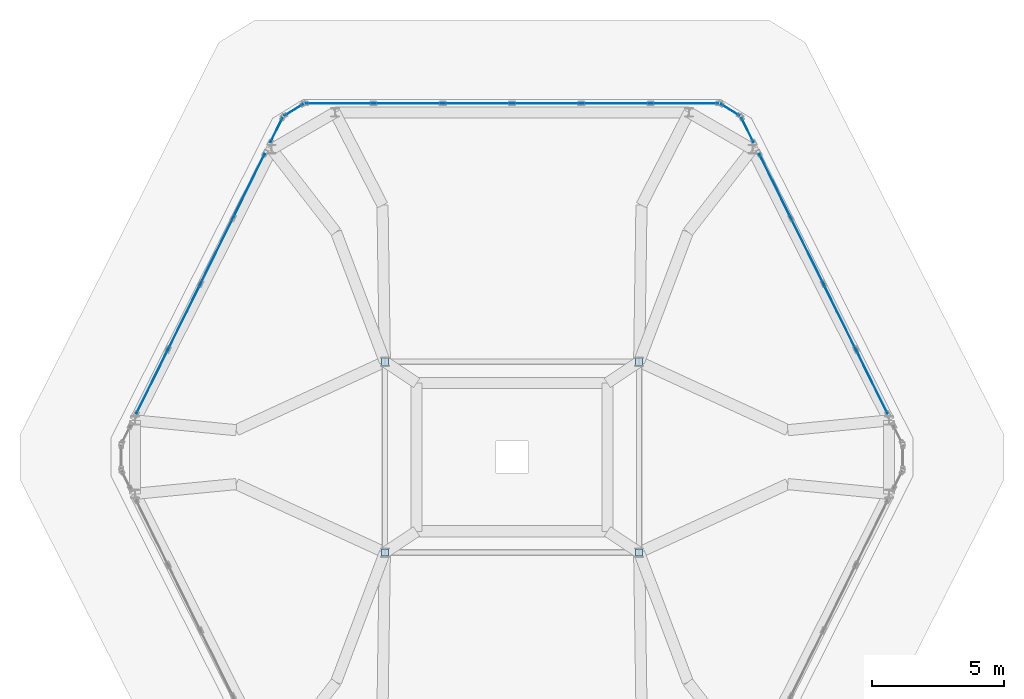
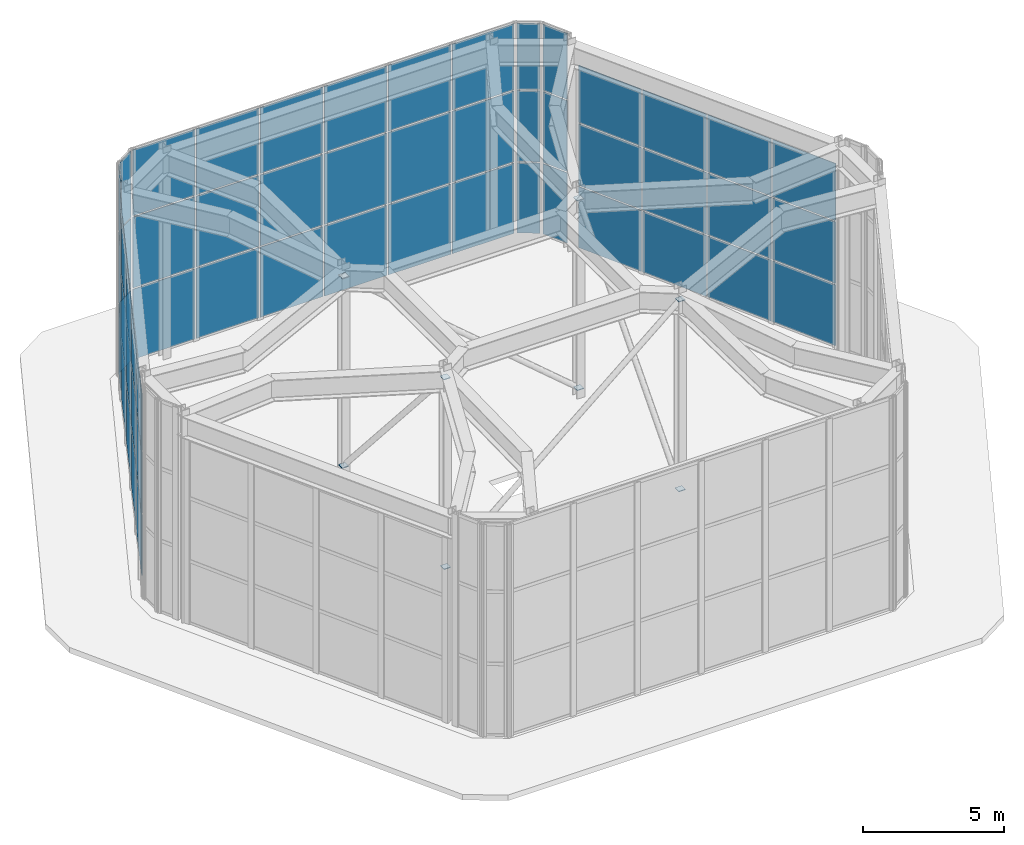
# One storey, part 10 of 10: 62 plates, 7 elements without a shape of their own.
"""IFC4 building model written with IfcOpenShell, lengths in metres."""

from ifc_helpers import new_model, si_unit, direction, frame, origin, origin_2d, place, context, subcontext, project, spatial, rectangle, extrude, material, layer, layer_set, type_object, element, aggregate, save


model = new_model("IFC4")

# Units and contexts
model_context = context("Model", 3, precision=1e-05, world=origin(), true_north=direction((0.0, 1.0)))
body_context = subcontext(model_context, "Body", "Model", "MODEL_VIEW")
ifc_project = project(units=[si_unit("LENGTHUNIT", "METRE"), si_unit("AREAUNIT", "SQUARE_METRE"), si_unit("VOLUMEUNIT", "CUBIC_METRE"), si_unit("PLANEANGLEUNIT", "RADIAN"), si_unit("MASSUNIT", "GRAM", prefix="KILO")], contexts=[model_context])

# Site, building, storey
site_placement = place(None, origin())
site = spatial("IfcSite", under=ifc_project, at=site_placement, CompositionType="ELEMENT")
building_placement = place(site_placement, origin())
building = spatial("IfcBuilding", under=site, at=building_placement, Name="Cinnabar Lancet Tower", CompositionType="ELEMENT")
storey_placement = place(building_placement, frame((0.0, 0.0, 314.675048828125)))
storey = spatial("IfcBuildingStorey", under=building, at=storey_placement, Name="L81", CompositionType="ELEMENT", Elevation=314.675048828125)

# Curtain wall, plates
ifc_material_1 = material(Name="Thermally broken bronze-anodized aluminium and low-E glass", Category="aluminium")
ifc_layer_1 = layer(ifc_material_1, 0.179931640625)
ifc_layer_set_1 = layer_set([ifc_layer_1], Name="Thermally broken bronze-anodized aluminium and low-E glass")
curtain_wall_type = type_object("IfcCurtainWallType", Name="ENV-CW-SYS-05", PredefinedType="NOTDEFINED", material=ifc_layer_set_1)
curtain_wall_1_placement = place(storey_placement, origin())
curtain_wall_1 = element("IfcCurtainWall", 1, at=curtain_wall_1_placement, inside=storey, type_object=curtain_wall_type, Name="L81 Faceted Lancet Crown Curtain Wall 9", PredefinedType="NOTDEFINED")
ifc_material_2 = material(Name="Acoustic solar-control low-E laminated glass unit", Category="glass")
ifc_layer_2 = layer(ifc_material_2, 0.035888671875)
ifc_layer_set_2 = layer_set([ifc_layer_2], Name="Acoustic solar-control low-E laminated glass unit")
plate_type_1 = type_object("IfcPlateType", Name="ENV-CW-PNL-36", PredefinedType="CURTAIN_PANEL", material=ifc_layer_set_2)
plate_1_placement = place(storey_placement, frame((45.9853515625, 28.641357421875, 0.06005859375), z_axis=(0.0, 0.0, 1.0), x_axis=(-0.442939207335, 0.896551648599, 0.0)))
plate_1 = element("IfcPlate", 2, at=plate_1_placement, type_object=plate_type_1, Name="CW-05 panel 1.1", PredefinedType="CURTAIN_PANEL", context=body_context, shape_type="SweptSolid", body=[
    extrude(rectangle(XDim=2.673828125, YDim=0.028076171875, at=origin_2d()), origin(), (0.0, 0.0, 1.0), 2.6279296875),
])
plate_2_placement = place(storey_placement, frame((45.9853515625, 28.641357421875, 2.748046875), z_axis=(0.0, 0.0, 1.0), x_axis=(-0.442939207335, 0.896551648599, 0.0)))
plate_2 = element("IfcPlate", 3, at=plate_2_placement, type_object=plate_type_1, Name="CW-05 panel 1.2", PredefinedType="CURTAIN_PANEL", context=body_context, shape_type="SweptSolid", body=[
    extrude(rectangle(XDim=2.673828125, YDim=0.028076171875, at=origin_2d()), origin(), (0.0, 0.0, 1.0), 2.657958984375),
])
plate_3_placement = place(storey_placement, frame((45.9853515625, 28.641357421875, 5.4658203125), z_axis=(0.0, 0.0, 1.0), x_axis=(-0.442939207335, 0.896551648599, 0.0)))
plate_3 = element("IfcPlate", 4, at=plate_3_placement, type_object=plate_type_1, Name="CW-05 panel 1.3", PredefinedType="CURTAIN_PANEL", context=body_context, shape_type="SweptSolid", body=[
    extrude(rectangle(XDim=2.673828125, YDim=0.028076171875, at=origin_2d()), origin(), (0.0, 0.0, 1.0), 2.468017578125),
])
plate_4_placement = place(storey_placement, frame((44.767578125, 31.10595703125, 0.06005859375), z_axis=(0.0, 0.0, 1.0), x_axis=(-0.442939207335, 0.896551648599, 0.0)))
plate_4 = element("IfcPlate", 5, at=plate_4_placement, type_object=plate_type_1, Name="CW-05 panel 2.1", PredefinedType="CURTAIN_PANEL", context=body_context, shape_type="SweptSolid", body=[
    extrude(rectangle(XDim=2.703857421875, YDim=0.028076171875, at=origin_2d()), origin(), (0.0, 0.0, 1.0), 2.6279296875),
])
plate_5_placement = place(storey_placement, frame((44.767578125, 31.10595703125, 2.748046875), z_axis=(0.0, 0.0, 1.0), x_axis=(-0.442939207335, 0.896551648599, 0.0)))
plate_5 = element("IfcPlate", 6, at=plate_5_placement, type_object=plate_type_1, Name="CW-05 panel 2.2", PredefinedType="CURTAIN_PANEL", context=body_context, shape_type="SweptSolid", body=[
    extrude(rectangle(XDim=2.703857421875, YDim=0.028076171875, at=origin_2d()), origin(), (0.0, 0.0, 1.0), 2.657958984375),
])
plate_6_placement = place(storey_placement, frame((44.767578125, 31.10595703125, 5.4658203125), z_axis=(0.0, 0.0, 1.0), x_axis=(-0.442939207335, 0.896551648599, 0.0)))
plate_6 = element("IfcPlate", 7, at=plate_6_placement, type_object=plate_type_1, Name="CW-05 panel 2.3", PredefinedType="CURTAIN_PANEL", context=body_context, shape_type="SweptSolid", body=[
    extrude(rectangle(XDim=2.703857421875, YDim=0.028076171875, at=origin_2d()), origin(), (0.0, 0.0, 1.0), 2.468017578125),
])
plate_7_placement = place(storey_placement, frame((43.54345703125, 33.583984375, 0.06005859375), z_axis=(0.0, 0.0, 1.0), x_axis=(-0.442939207335, 0.896551648599, 0.0)))
plate_7 = element("IfcPlate", 8, at=plate_7_placement, type_object=plate_type_1, Name="CW-05 panel 3.1", PredefinedType="CURTAIN_PANEL", context=body_context, shape_type="SweptSolid", body=[
    extrude(rectangle(XDim=2.703857421875, YDim=0.028076171875, at=origin_2d()), origin(), (0.0, 0.0, 1.0), 2.6279296875),
])
plate_8_placement = place(storey_placement, frame((43.54345703125, 33.583984375, 2.748046875), z_axis=(0.0, 0.0, 1.0), x_axis=(-0.442939207335, 0.896551648599, 0.0)))
plate_8 = element("IfcPlate", 9, at=plate_8_placement, type_object=plate_type_1, Name="CW-05 panel 3.2", PredefinedType="CURTAIN_PANEL", context=body_context, shape_type="SweptSolid", body=[
    extrude(rectangle(XDim=2.703857421875, YDim=0.028076171875, at=origin_2d()), origin(), (0.0, 0.0, 1.0), 2.657958984375),
])
plate_9_placement = place(storey_placement, frame((43.54345703125, 33.583984375, 5.4658203125), z_axis=(0.0, 0.0, 1.0), x_axis=(-0.442939207335, 0.896551648599, 0.0)))
plate_9 = element("IfcPlate", 10, at=plate_9_placement, type_object=plate_type_1, Name="CW-05 panel 3.3", PredefinedType="CURTAIN_PANEL", context=body_context, shape_type="SweptSolid", body=[
    extrude(rectangle(XDim=2.703857421875, YDim=0.028076171875, at=origin_2d()), origin(), (0.0, 0.0, 1.0), 2.468017578125),
])
plate_10_placement = place(storey_placement, frame((42.32568359375, 36.048583984375, 0.06005859375), z_axis=(0.0, 0.0, 1.0), x_axis=(-0.442939207335, 0.896551648599, 0.0)))
plate_10 = element("IfcPlate", 11, at=plate_10_placement, type_object=plate_type_1, Name="CW-05 panel 4.1", PredefinedType="CURTAIN_PANEL", context=body_context, shape_type="SweptSolid", body=[
    extrude(rectangle(XDim=2.673828125, YDim=0.028076171875, at=origin_2d()), origin(), (0.0, 0.0, 1.0), 2.6279296875),
])
plate_11_placement = place(storey_placement, frame((42.32568359375, 36.048583984375, 2.748046875), z_axis=(0.0, 0.0, 1.0), x_axis=(-0.442939207335, 0.896551648599, 0.0)))
plate_11 = element("IfcPlate", 12, at=plate_11_placement, type_object=plate_type_1, Name="CW-05 panel 4.2", PredefinedType="CURTAIN_PANEL", context=body_context, shape_type="SweptSolid", body=[
    extrude(rectangle(XDim=2.673828125, YDim=0.028076171875, at=origin_2d()), origin(), (0.0, 0.0, 1.0), 2.657958984375),
])
plate_12_placement = place(storey_placement, frame((42.32568359375, 36.048583984375, 5.4658203125), z_axis=(0.0, 0.0, 1.0), x_axis=(-0.442939207335, 0.896551648599, 0.0)))
plate_12 = element("IfcPlate", 13, at=plate_12_placement, type_object=plate_type_1, Name="CW-05 panel 4.3", PredefinedType="CURTAIN_PANEL", context=body_context, shape_type="SweptSolid", body=[
    extrude(rectangle(XDim=2.673828125, YDim=0.028076171875, at=origin_2d()), origin(), (0.0, 0.0, 1.0), 2.468017578125),
])
aggregate(curtain_wall_1, [plate_1, plate_2, plate_3, plate_4, plate_5, plate_6, plate_7, plate_8, plate_9, plate_10, plate_11, plate_12])

curtain_wall_2_placement = place(storey_placement, origin())
curtain_wall_2 = element("IfcCurtainWall", 14, at=curtain_wall_2_placement, inside=storey, type_object=curtain_wall_type, Name="L81 Faceted Lancet Crown Curtain Wall 10", PredefinedType="NOTDEFINED")
plate_13_placement = place(storey_placement, frame((41.29052734375, 38.14453125, 0.06005859375), z_axis=(0.0, 0.0, 1.0), x_axis=(-0.443361742062, 0.896342772424, 0.0)))
plate_13 = element("IfcPlate", 15, at=plate_13_placement, type_object=plate_type_1, Name="CW-05 panel 1.1", PredefinedType="CURTAIN_PANEL", context=body_context, shape_type="SweptSolid", body=[
    extrude(rectangle(XDim=1.0234375, YDim=0.028076171875, at=origin_2d()), origin(), (0.0, 0.0, 1.0), 3.030029296875),
])
plate_14_placement = place(storey_placement, frame((41.29052734375, 38.14453125, 3.14990234375), z_axis=(0.0, 0.0, 1.0), x_axis=(-0.443361742062, 0.896342772424, 0.0)))
plate_14 = element("IfcPlate", 16, at=plate_14_placement, type_object=plate_type_1, Name="CW-05 panel 1.2", PredefinedType="CURTAIN_PANEL", context=body_context, shape_type="SweptSolid", body=[
    extrude(rectangle(XDim=1.0234375, YDim=0.028076171875, at=origin_2d()), origin(), (0.0, 0.0, 1.0), 3.05908203125),
])
plate_15_placement = place(storey_placement, frame((41.29052734375, 38.14453125, 6.26904296875), z_axis=(0.0, 0.0, 1.0), x_axis=(-0.443361742062, 0.896342772424, 0.0)))
plate_15 = element("IfcPlate", 17, at=plate_15_placement, type_object=plate_type_1, Name="CW-05 panel 1.3", PredefinedType="CURTAIN_PANEL", context=body_context, shape_type="SweptSolid", body=[
    extrude(rectangle(XDim=1.0234375, YDim=0.028076171875, at=origin_2d()), origin(), (0.0, 0.0, 1.0), 2.845947265625),
])
aggregate(curtain_wall_2, [plate_13, plate_14, plate_15])

curtain_wall_3_placement = place(storey_placement, origin())
curtain_wall_3 = element("IfcCurtainWall", 18, at=curtain_wall_3_placement, inside=storey, type_object=curtain_wall_type, Name="L81 Faceted Lancet Crown Curtain Wall 11", PredefinedType="NOTDEFINED")
plate_16_placement = place(storey_placement, frame((40.640380859375, 38.903564453125, 0.06005859375), z_axis=(0.0, 0.0, 1.0), x_axis=(-0.849259368802, 0.527975874925, 0.0)))
plate_16 = element("IfcPlate", 19, at=plate_16_placement, type_object=plate_type_1, Name="CW-05 panel 1.1", PredefinedType="CURTAIN_PANEL", context=body_context, shape_type="SweptSolid", body=[
    extrude(rectangle(XDim=0.813720703125, YDim=0.028076171875, at=origin_2d()), origin(), (0.0, 0.0, 1.0), 3.030029296875),
])
plate_17_placement = place(storey_placement, frame((40.640380859375, 38.903564453125, 3.14990234375), z_axis=(0.0, 0.0, 1.0), x_axis=(-0.849259368802, 0.527975874925, 0.0)))
plate_17 = element("IfcPlate", 20, at=plate_17_placement, type_object=plate_type_1, Name="CW-05 panel 1.2", PredefinedType="CURTAIN_PANEL", context=body_context, shape_type="SweptSolid", body=[
    extrude(rectangle(XDim=0.813720703125, YDim=0.028076171875, at=origin_2d()), origin(), (0.0, 0.0, 1.0), 3.05908203125),
])
plate_18_placement = place(storey_placement, frame((40.640380859375, 38.903564453125, 6.26904296875), z_axis=(0.0, 0.0, 1.0), x_axis=(-0.849259368802, 0.527975874925, 0.0)))
plate_18 = element("IfcPlate", 21, at=plate_18_placement, type_object=plate_type_1, Name="CW-05 panel 1.3", PredefinedType="CURTAIN_PANEL", context=body_context, shape_type="SweptSolid", body=[
    extrude(rectangle(XDim=0.813720703125, YDim=0.028076171875, at=origin_2d()), origin(), (0.0, 0.0, 1.0), 2.845947265625),
])
aggregate(curtain_wall_3, [plate_16, plate_17, plate_18])

curtain_wall_4_placement = place(storey_placement, origin())
curtain_wall_4 = element("IfcCurtainWall", 22, at=curtain_wall_4_placement, inside=storey, type_object=curtain_wall_type, Name="L81 Faceted Lancet Crown Curtain Wall 12", PredefinedType="NOTDEFINED")
plate_19_placement = place(storey_placement, frame((38.921630859375, 39.14990234375, 0.06005859375), z_axis=(0.0, 0.0, 1.0), x_axis=(-1.0, 0.0, 0.0)))
plate_19 = element("IfcPlate", 23, at=plate_19_placement, type_object=plate_type_1, Name="CW-05 panel 1.1", PredefinedType="CURTAIN_PANEL", context=body_context, shape_type="SweptSolid", body=[
    extrude(rectangle(XDim=2.524658203125, YDim=0.028076171875, at=origin_2d()), origin(), (0.0, 0.0, 1.0), 3.030029296875),
])
plate_20_placement = place(storey_placement, frame((38.921630859375, 39.14990234375, 3.14990234375), z_axis=(0.0, 0.0, 1.0), x_axis=(-1.0, 0.0, 0.0)))
plate_20 = element("IfcPlate", 24, at=plate_20_placement, type_object=plate_type_1, Name="CW-05 panel 1.2", PredefinedType="CURTAIN_PANEL", context=body_context, shape_type="SweptSolid", body=[
    extrude(rectangle(XDim=2.524658203125, YDim=0.028076171875, at=origin_2d()), origin(), (0.0, 0.0, 1.0), 3.05908203125),
])
plate_21_placement = place(storey_placement, frame((38.921630859375, 39.14990234375, 6.26904296875), z_axis=(0.0, 0.0, 1.0), x_axis=(-1.0, 0.0, 0.0)))
plate_21 = element("IfcPlate", 25, at=plate_21_placement, type_object=plate_type_1, Name="CW-05 panel 1.3", PredefinedType="CURTAIN_PANEL", context=body_context, shape_type="SweptSolid", body=[
    extrude(rectangle(XDim=2.524658203125, YDim=0.028076171875, at=origin_2d()), origin(), (0.0, 0.0, 1.0), 2.845947265625),
])
plate_22_placement = place(storey_placement, frame((36.322021484375, 39.14990234375, 0.06005859375), z_axis=(0.0, 0.0, 1.0), x_axis=(-1.0, 0.0, 0.0)))
plate_22 = element("IfcPlate", 26, at=plate_22_placement, type_object=plate_type_1, Name="CW-05 panel 2.1", PredefinedType="CURTAIN_PANEL", context=body_context, shape_type="SweptSolid", body=[
    extrude(rectangle(XDim=2.5546875, YDim=0.028076171875, at=origin_2d()), origin(), (0.0, 0.0, 1.0), 3.030029296875),
])
plate_23_placement = place(storey_placement, frame((36.322021484375, 39.14990234375, 3.14990234375), z_axis=(0.0, 0.0, 1.0), x_axis=(-1.0, 0.0, 0.0)))
plate_23 = element("IfcPlate", 27, at=plate_23_placement, type_object=plate_type_1, Name="CW-05 panel 2.2", PredefinedType="CURTAIN_PANEL", context=body_context, shape_type="SweptSolid", body=[
    extrude(rectangle(XDim=2.5546875, YDim=0.028076171875, at=origin_2d()), origin(), (0.0, 0.0, 1.0), 3.05908203125),
])
plate_24_placement = place(storey_placement, frame((36.322021484375, 39.14990234375, 6.26904296875), z_axis=(0.0, 0.0, 1.0), x_axis=(-1.0, 0.0, 0.0)))
plate_24 = element("IfcPlate", 28, at=plate_24_placement, type_object=plate_type_1, Name="CW-05 panel 2.3", PredefinedType="CURTAIN_PANEL", context=body_context, shape_type="SweptSolid", body=[
    extrude(rectangle(XDim=2.5546875, YDim=0.028076171875, at=origin_2d()), origin(), (0.0, 0.0, 1.0), 2.845947265625),
])
plate_25_placement = place(storey_placement, frame((33.707275390625, 39.14990234375, 0.06005859375), z_axis=(0.0, 0.0, 1.0), x_axis=(-1.0, 0.0, 0.0)))
plate_25 = element("IfcPlate", 29, at=plate_25_placement, type_object=plate_type_1, Name="CW-05 panel 3.1", PredefinedType="CURTAIN_PANEL", context=body_context, shape_type="SweptSolid", body=[
    extrude(rectangle(XDim=2.5546875, YDim=0.028076171875, at=origin_2d()), origin(), (0.0, 0.0, 1.0), 3.030029296875),
])
plate_26_placement = place(storey_placement, frame((33.707275390625, 39.14990234375, 3.14990234375), z_axis=(0.0, 0.0, 1.0), x_axis=(-1.0, 0.0, 0.0)))
plate_26 = element("IfcPlate", 30, at=plate_26_placement, type_object=plate_type_1, Name="CW-05 panel 3.2", PredefinedType="CURTAIN_PANEL", context=body_context, shape_type="SweptSolid", body=[
    extrude(rectangle(XDim=2.5546875, YDim=0.028076171875, at=origin_2d()), origin(), (0.0, 0.0, 1.0), 3.05908203125),
])
plate_27_placement = place(storey_placement, frame((33.707275390625, 39.14990234375, 6.26904296875), z_axis=(0.0, 0.0, 1.0), x_axis=(-1.0, 0.0, 0.0)))
plate_27 = element("IfcPlate", 31, at=plate_27_placement, type_object=plate_type_1, Name="CW-05 panel 3.3", PredefinedType="CURTAIN_PANEL", context=body_context, shape_type="SweptSolid", body=[
    extrude(rectangle(XDim=2.5546875, YDim=0.028076171875, at=origin_2d()), origin(), (0.0, 0.0, 1.0), 2.845947265625),
])
plate_28_placement = place(storey_placement, frame((31.0927734375, 39.14990234375, 0.06005859375), z_axis=(0.0, 0.0, 1.0), x_axis=(-1.0, 0.0, 0.0)))
plate_28 = element("IfcPlate", 32, at=plate_28_placement, type_object=plate_type_1, Name="CW-05 panel 4.1", PredefinedType="CURTAIN_PANEL", context=body_context, shape_type="SweptSolid", body=[
    extrude(rectangle(XDim=2.5546875, YDim=0.028076171875, at=origin_2d()), origin(), (0.0, 0.0, 1.0), 3.030029296875),
])
plate_29_placement = place(storey_placement, frame((31.0927734375, 39.14990234375, 3.14990234375), z_axis=(0.0, 0.0, 1.0), x_axis=(-1.0, 0.0, 0.0)))
plate_29 = element("IfcPlate", 33, at=plate_29_placement, type_object=plate_type_1, Name="CW-05 panel 4.2", PredefinedType="CURTAIN_PANEL", context=body_context, shape_type="SweptSolid", body=[
    extrude(rectangle(XDim=2.5546875, YDim=0.028076171875, at=origin_2d()), origin(), (0.0, 0.0, 1.0), 3.05908203125),
])
plate_30_placement = place(storey_placement, frame((31.0927734375, 39.14990234375, 6.26904296875), z_axis=(0.0, 0.0, 1.0), x_axis=(-1.0, 0.0, 0.0)))
plate_30 = element("IfcPlate", 34, at=plate_30_placement, type_object=plate_type_1, Name="CW-05 panel 4.3", PredefinedType="CURTAIN_PANEL", context=body_context, shape_type="SweptSolid", body=[
    extrude(rectangle(XDim=2.5546875, YDim=0.028076171875, at=origin_2d()), origin(), (0.0, 0.0, 1.0), 2.845947265625),
])
plate_31_placement = place(storey_placement, frame((28.47802734375, 39.14990234375, 0.06005859375), z_axis=(0.0, 0.0, 1.0), x_axis=(-1.0, 0.0, 0.0)))
plate_31 = element("IfcPlate", 35, at=plate_31_placement, type_object=plate_type_1, Name="CW-05 panel 5.1", PredefinedType="CURTAIN_PANEL", context=body_context, shape_type="SweptSolid", body=[
    extrude(rectangle(XDim=2.5546875, YDim=0.028076171875, at=origin_2d()), origin(), (0.0, 0.0, 1.0), 3.030029296875),
])
plate_32_placement = place(storey_placement, frame((28.47802734375, 39.14990234375, 3.14990234375), z_axis=(0.0, 0.0, 1.0), x_axis=(-1.0, 0.0, 0.0)))
plate_32 = element("IfcPlate", 36, at=plate_32_placement, type_object=plate_type_1, Name="CW-05 panel 5.2", PredefinedType="CURTAIN_PANEL", context=body_context, shape_type="SweptSolid", body=[
    extrude(rectangle(XDim=2.5546875, YDim=0.028076171875, at=origin_2d()), origin(), (0.0, 0.0, 1.0), 3.05908203125),
])
plate_33_placement = place(storey_placement, frame((28.47802734375, 39.14990234375, 6.26904296875), z_axis=(0.0, 0.0, 1.0), x_axis=(-1.0, 0.0, 0.0)))
plate_33 = element("IfcPlate", 37, at=plate_33_placement, type_object=plate_type_1, Name="CW-05 panel 5.3", PredefinedType="CURTAIN_PANEL", context=body_context, shape_type="SweptSolid", body=[
    extrude(rectangle(XDim=2.5546875, YDim=0.028076171875, at=origin_2d()), origin(), (0.0, 0.0, 1.0), 2.845947265625),
])
plate_34_placement = place(storey_placement, frame((25.87841796875, 39.14990234375, 0.06005859375), z_axis=(0.0, 0.0, 1.0), x_axis=(-1.0, 0.0, 0.0)))
plate_34 = element("IfcPlate", 38, at=plate_34_placement, type_object=plate_type_1, Name="CW-05 panel 6.1", PredefinedType="CURTAIN_PANEL", context=body_context, shape_type="SweptSolid", body=[
    extrude(rectangle(XDim=2.524658203125, YDim=0.028076171875, at=origin_2d()), origin(), (0.0, 0.0, 1.0), 3.030029296875),
])
plate_35_placement = place(storey_placement, frame((25.87841796875, 39.14990234375, 3.14990234375), z_axis=(0.0, 0.0, 1.0), x_axis=(-1.0, 0.0, 0.0)))
plate_35 = element("IfcPlate", 39, at=plate_35_placement, type_object=plate_type_1, Name="CW-05 panel 6.2", PredefinedType="CURTAIN_PANEL", context=body_context, shape_type="SweptSolid", body=[
    extrude(rectangle(XDim=2.524658203125, YDim=0.028076171875, at=origin_2d()), origin(), (0.0, 0.0, 1.0), 3.05908203125),
])
plate_36_placement = place(storey_placement, frame((25.87841796875, 39.14990234375, 6.26904296875), z_axis=(0.0, 0.0, 1.0), x_axis=(-1.0, 0.0, 0.0)))
plate_36 = element("IfcPlate", 40, at=plate_36_placement, type_object=plate_type_1, Name="CW-05 panel 6.3", PredefinedType="CURTAIN_PANEL", context=body_context, shape_type="SweptSolid", body=[
    extrude(rectangle(XDim=2.524658203125, YDim=0.028076171875, at=origin_2d()), origin(), (0.0, 0.0, 1.0), 2.845947265625),
])
aggregate(curtain_wall_4, [plate_19, plate_20, plate_21, plate_22, plate_23, plate_24, plate_25, plate_26, plate_27, plate_28, plate_29, plate_30, plate_31, plate_32, plate_33, plate_34, plate_35, plate_36])

curtain_wall_5_placement = place(storey_placement, origin())
curtain_wall_5 = element("IfcCurtainWall", 41, at=curtain_wall_5_placement, inside=storey, type_object=curtain_wall_type, Name="L81 Faceted Lancet Crown Curtain Wall 13", PredefinedType="NOTDEFINED")
plate_37_placement = place(storey_placement, frame((24.159423828125, 38.903564453125, 0.06005859375), z_axis=(0.0, 0.0, 1.0), x_axis=(-0.849259368802, -0.527975874925, 0.0)))
plate_37 = element("IfcPlate", 42, at=plate_37_placement, type_object=plate_type_1, Name="CW-05 panel 1.1", PredefinedType="CURTAIN_PANEL", context=body_context, shape_type="SweptSolid", body=[
    extrude(rectangle(XDim=0.813720703125, YDim=0.028076171875, at=origin_2d()), origin(), (0.0, 0.0, 1.0), 3.030029296875),
])
plate_38_placement = place(storey_placement, frame((24.159423828125, 38.903564453125, 3.14990234375), z_axis=(0.0, 0.0, 1.0), x_axis=(-0.849259368802, -0.527975874925, 0.0)))
plate_38 = element("IfcPlate", 43, at=plate_38_placement, type_object=plate_type_1, Name="CW-05 panel 1.2", PredefinedType="CURTAIN_PANEL", context=body_context, shape_type="SweptSolid", body=[
    extrude(rectangle(XDim=0.813720703125, YDim=0.028076171875, at=origin_2d()), origin(), (0.0, 0.0, 1.0), 3.05908203125),
])
plate_39_placement = place(storey_placement, frame((24.159423828125, 38.903564453125, 6.26904296875), z_axis=(0.0, 0.0, 1.0), x_axis=(-0.849259368802, -0.527975874925, 0.0)))
plate_39 = element("IfcPlate", 44, at=plate_39_placement, type_object=plate_type_1, Name="CW-05 panel 1.3", PredefinedType="CURTAIN_PANEL", context=body_context, shape_type="SweptSolid", body=[
    extrude(rectangle(XDim=0.813720703125, YDim=0.028076171875, at=origin_2d()), origin(), (0.0, 0.0, 1.0), 2.845947265625),
])
aggregate(curtain_wall_5, [plate_37, plate_38, plate_39])

curtain_wall_6_placement = place(storey_placement, origin())
curtain_wall_6 = element("IfcCurtainWall", 45, at=curtain_wall_6_placement, inside=storey, type_object=curtain_wall_type, Name="L81 Faceted Lancet Crown Curtain Wall 14", PredefinedType="NOTDEFINED")
plate_40_placement = place(storey_placement, frame((23.509521484375, 38.14453125, 0.06005859375), z_axis=(0.0, 0.0, 1.0), x_axis=(-0.443361742062, -0.896342772424, 0.0)))
plate_40 = element("IfcPlate", 46, at=plate_40_placement, type_object=plate_type_1, Name="CW-05 panel 1.1", PredefinedType="CURTAIN_PANEL", context=body_context, shape_type="SweptSolid", body=[
    extrude(rectangle(XDim=1.0234375, YDim=0.028076171875, at=origin_2d()), origin(), (0.0, 0.0, 1.0), 3.030029296875),
])
plate_41_placement = place(storey_placement, frame((23.509521484375, 38.14453125, 3.14990234375), z_axis=(0.0, 0.0, 1.0), x_axis=(-0.443361742062, -0.896342772424, 0.0)))
plate_41 = element("IfcPlate", 47, at=plate_41_placement, type_object=plate_type_1, Name="CW-05 panel 1.2", PredefinedType="CURTAIN_PANEL", context=body_context, shape_type="SweptSolid", body=[
    extrude(rectangle(XDim=1.0234375, YDim=0.028076171875, at=origin_2d()), origin(), (0.0, 0.0, 1.0), 3.05908203125),
])
plate_42_placement = place(storey_placement, frame((23.509521484375, 38.14453125, 6.26904296875), z_axis=(0.0, 0.0, 1.0), x_axis=(-0.443361742062, -0.896342772424, 0.0)))
plate_42 = element("IfcPlate", 48, at=plate_42_placement, type_object=plate_type_1, Name="CW-05 panel 1.3", PredefinedType="CURTAIN_PANEL", context=body_context, shape_type="SweptSolid", body=[
    extrude(rectangle(XDim=1.0234375, YDim=0.028076171875, at=origin_2d()), origin(), (0.0, 0.0, 1.0), 2.845947265625),
])
aggregate(curtain_wall_6, [plate_40, plate_41, plate_42])

curtain_wall_7_placement = place(storey_placement, origin())
curtain_wall_7 = element("IfcCurtainWall", 49, at=curtain_wall_7_placement, inside=storey, type_object=curtain_wall_type, Name="L81 Faceted Lancet Crown Curtain Wall 15", PredefinedType="NOTDEFINED")
plate_43_placement = place(storey_placement, frame((22.47412109375, 36.048583984375, 0.06005859375), z_axis=(0.0, 0.0, 1.0), x_axis=(-0.442939207335, -0.896551648599, 0.0)))
plate_43 = element("IfcPlate", 50, at=plate_43_placement, type_object=plate_type_1, Name="CW-05 panel 1.1", PredefinedType="CURTAIN_PANEL", context=body_context, shape_type="SweptSolid", body=[
    extrude(rectangle(XDim=2.673828125, YDim=0.028076171875, at=origin_2d()), origin(), (0.0, 0.0, 1.0), 2.6279296875),
])
plate_44_placement = place(storey_placement, frame((22.47412109375, 36.048583984375, 2.748046875), z_axis=(0.0, 0.0, 1.0), x_axis=(-0.442939207335, -0.896551648599, 0.0)))
plate_44 = element("IfcPlate", 51, at=plate_44_placement, type_object=plate_type_1, Name="CW-05 panel 1.2", PredefinedType="CURTAIN_PANEL", context=body_context, shape_type="SweptSolid", body=[
    extrude(rectangle(XDim=2.673828125, YDim=0.028076171875, at=origin_2d()), origin(), (0.0, 0.0, 1.0), 2.657958984375),
])
plate_45_placement = place(storey_placement, frame((22.47412109375, 36.048583984375, 5.4658203125), z_axis=(0.0, 0.0, 1.0), x_axis=(-0.442939207335, -0.896551648599, 0.0)))
plate_45 = element("IfcPlate", 52, at=plate_45_placement, type_object=plate_type_1, Name="CW-05 panel 1.3", PredefinedType="CURTAIN_PANEL", context=body_context, shape_type="SweptSolid", body=[
    extrude(rectangle(XDim=2.673828125, YDim=0.028076171875, at=origin_2d()), origin(), (0.0, 0.0, 1.0), 2.468017578125),
])
plate_46_placement = place(storey_placement, frame((21.256591796875, 33.583984375, 0.06005859375), z_axis=(0.0, 0.0, 1.0), x_axis=(-0.442939207335, -0.896551648599, 0.0)))
plate_46 = element("IfcPlate", 53, at=plate_46_placement, type_object=plate_type_1, Name="CW-05 panel 2.1", PredefinedType="CURTAIN_PANEL", context=body_context, shape_type="SweptSolid", body=[
    extrude(rectangle(XDim=2.703857421875, YDim=0.028076171875, at=origin_2d()), origin(), (0.0, 0.0, 1.0), 2.6279296875),
])
plate_47_placement = place(storey_placement, frame((21.256591796875, 33.583984375, 2.748046875), z_axis=(0.0, 0.0, 1.0), x_axis=(-0.442939207335, -0.896551648599, 0.0)))
plate_47 = element("IfcPlate", 54, at=plate_47_placement, type_object=plate_type_1, Name="CW-05 panel 2.2", PredefinedType="CURTAIN_PANEL", context=body_context, shape_type="SweptSolid", body=[
    extrude(rectangle(XDim=2.703857421875, YDim=0.028076171875, at=origin_2d()), origin(), (0.0, 0.0, 1.0), 2.657958984375),
])
plate_48_placement = place(storey_placement, frame((21.256591796875, 33.583984375, 5.4658203125), z_axis=(0.0, 0.0, 1.0), x_axis=(-0.442939207335, -0.896551648599, 0.0)))
plate_48 = element("IfcPlate", 55, at=plate_48_placement, type_object=plate_type_1, Name="CW-05 panel 2.3", PredefinedType="CURTAIN_PANEL", context=body_context, shape_type="SweptSolid", body=[
    extrude(rectangle(XDim=2.703857421875, YDim=0.028076171875, at=origin_2d()), origin(), (0.0, 0.0, 1.0), 2.468017578125),
])
plate_49_placement = place(storey_placement, frame((20.032470703125, 31.10595703125, 0.06005859375), z_axis=(0.0, 0.0, 1.0), x_axis=(-0.442939207335, -0.896551648599, 0.0)))
plate_49 = element("IfcPlate", 56, at=plate_49_placement, type_object=plate_type_1, Name="CW-05 panel 3.1", PredefinedType="CURTAIN_PANEL", context=body_context, shape_type="SweptSolid", body=[
    extrude(rectangle(XDim=2.703857421875, YDim=0.028076171875, at=origin_2d()), origin(), (0.0, 0.0, 1.0), 2.6279296875),
])
plate_50_placement = place(storey_placement, frame((20.032470703125, 31.10595703125, 2.748046875), z_axis=(0.0, 0.0, 1.0), x_axis=(-0.442939207335, -0.896551648599, 0.0)))
plate_50 = element("IfcPlate", 57, at=plate_50_placement, type_object=plate_type_1, Name="CW-05 panel 3.2", PredefinedType="CURTAIN_PANEL", context=body_context, shape_type="SweptSolid", body=[
    extrude(rectangle(XDim=2.703857421875, YDim=0.028076171875, at=origin_2d()), origin(), (0.0, 0.0, 1.0), 2.657958984375),
])
plate_51_placement = place(storey_placement, frame((20.032470703125, 31.10595703125, 5.4658203125), z_axis=(0.0, 0.0, 1.0), x_axis=(-0.442939207335, -0.896551648599, 0.0)))
plate_51 = element("IfcPlate", 58, at=plate_51_placement, type_object=plate_type_1, Name="CW-05 panel 3.3", PredefinedType="CURTAIN_PANEL", context=body_context, shape_type="SweptSolid", body=[
    extrude(rectangle(XDim=2.703857421875, YDim=0.028076171875, at=origin_2d()), origin(), (0.0, 0.0, 1.0), 2.468017578125),
])
plate_52_placement = place(storey_placement, frame((18.814697265625, 28.641357421875, 0.06005859375), z_axis=(0.0, 0.0, 1.0), x_axis=(-0.442939207335, -0.896551648599, 0.0)))
plate_52 = element("IfcPlate", 59, at=plate_52_placement, type_object=plate_type_1, Name="CW-05 panel 4.1", PredefinedType="CURTAIN_PANEL", context=body_context, shape_type="SweptSolid", body=[
    extrude(rectangle(XDim=2.673828125, YDim=0.028076171875, at=origin_2d()), origin(), (0.0, 0.0, 1.0), 2.6279296875),
])
plate_53_placement = place(storey_placement, frame((18.814697265625, 28.641357421875, 2.748046875), z_axis=(0.0, 0.0, 1.0), x_axis=(-0.442939207335, -0.896551648599, 0.0)))
plate_53 = element("IfcPlate", 60, at=plate_53_placement, type_object=plate_type_1, Name="CW-05 panel 4.2", PredefinedType="CURTAIN_PANEL", context=body_context, shape_type="SweptSolid", body=[
    extrude(rectangle(XDim=2.673828125, YDim=0.028076171875, at=origin_2d()), origin(), (0.0, 0.0, 1.0), 2.657958984375),
])
plate_54_placement = place(storey_placement, frame((18.814697265625, 28.641357421875, 5.4658203125), z_axis=(0.0, 0.0, 1.0), x_axis=(-0.442939207335, -0.896551648599, 0.0)))
plate_54 = element("IfcPlate", 61, at=plate_54_placement, type_object=plate_type_1, Name="CW-05 panel 4.3", PredefinedType="CURTAIN_PANEL", context=body_context, shape_type="SweptSolid", body=[
    extrude(rectangle(XDim=2.673828125, YDim=0.028076171875, at=origin_2d()), origin(), (0.0, 0.0, 1.0), 2.468017578125),
])
aggregate(curtain_wall_7, [plate_43, plate_44, plate_45, plate_46, plate_47, plate_48, plate_49, plate_50, plate_51, plate_52, plate_53, plate_54])

# Plates
ifc_material_3 = material(Name="Structural steel S460", Category="steel")
ifc_layer_3 = layer(ifc_material_3, 0.030029296875)
ifc_layer_set_3 = layer_set([ifc_layer_3], Name="Structural steel S460")
plate_type_2 = type_object("IfcPlateType", Name="STR-PL-CAP-25", PredefinedType="SHEET", material=ifc_layer_set_3)
for number, where, z_axis, x_axis, name in (
    (62, (27.60009765625, 22.199951171875, 0.32470703125), (0.0, 0.0, 1.0), (-1.0, 0.0, 0.0), "Hollow section end cap plate CP-CRNBRC-L81-1A"),
    (63, (37.199951171875, 22.199951171875, 8.52001953125), (0.0, 0.0, 1.0), (1.0, 0.0, 0.0), "Hollow section end cap plate CP-CRNBRC-L81-1B"),
    (64, (37.199951171875, 22.199951171875, 0.32470703125), (0.0, 0.0, 1.0), (0.0, -1.0, 0.0), "Hollow section end cap plate CP-CRNBRC-L81-2A"),
    (65, (37.199951171875, 29.39990234375, 8.52001953125), (0.0, 0.0, 1.0), (0.0, 1.0, 0.0), "Hollow section end cap plate CP-CRNBRC-L81-2B"),
    (66, (37.199951171875, 29.39990234375, 0.32470703125), (0.0, 0.0, 1.0), (1.0, 0.0, 0.0), "Hollow section end cap plate CP-CRNBRC-L81-3A"),
    (67, (27.60009765625, 29.39990234375, 8.52001953125), (0.0, 0.0, 1.0), (-1.0, 0.0, 0.0), "Hollow section end cap plate CP-CRNBRC-L81-3B"),
    (68, (27.60009765625, 29.39990234375, 0.32470703125), (0.0, 0.0, 1.0), (0.0, 1.0, 0.0), "Hollow section end cap plate CP-CRNBRC-L81-4A"),
    (69, (27.60009765625, 22.199951171875, 8.52001953125), (0.0, 0.0, 1.0), (0.0, -1.0, 0.0), "Hollow section end cap plate CP-CRNBRC-L81-4B"),
):
    element("IfcPlate", number, at=place(storey_placement, frame(where, z_axis=z_axis, x_axis=x_axis)), inside=storey, type_object=plate_type_2, Name=name, PredefinedType="SHEET", context=body_context, shape_type="SweptSolid", body=[
        extrude(rectangle(XDim=0.27001953125, YDim=0.27001953125, at=origin_2d()), origin(), (0.0, 0.0, 1.0), 0.030029296875),
    ])

save(model, "model.ifc")
